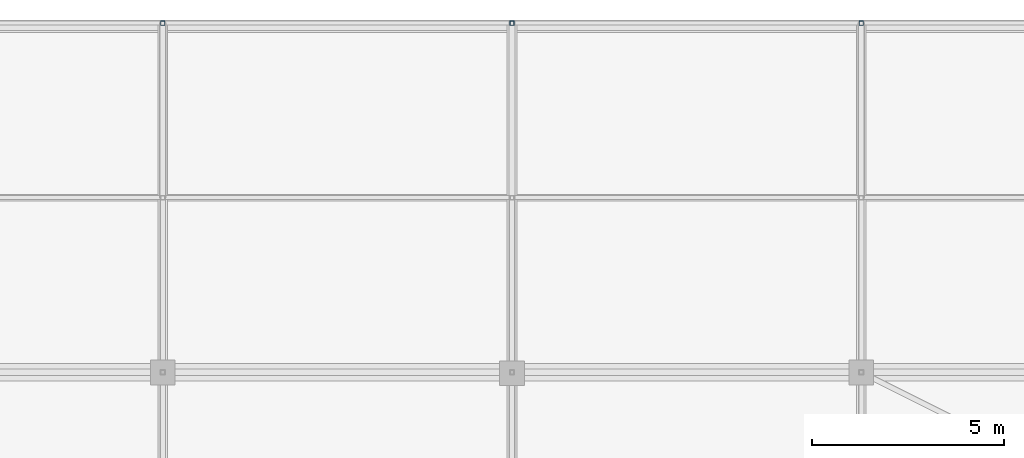
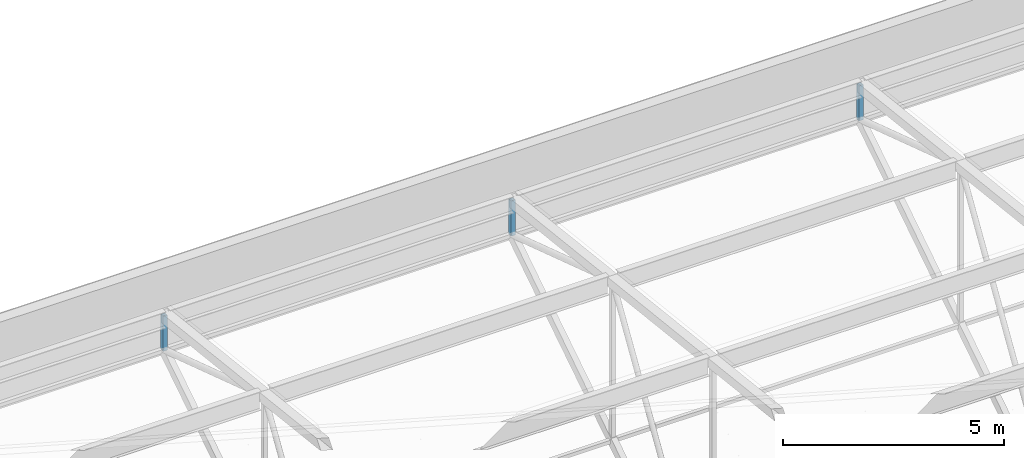
# One storey, part 415 of 500: 3 members.
"""IFC4 building model written with IfcOpenShell, lengths in metres."""

from ifc_helpers import new_model, si_unit, direction, frame, origin, origin_2d, place, context, subcontext, project, spatial, hollow_rectangle, extrude, material, material_profile, profile_set, type_object, element, save


model = new_model("IFC4")

# Units and contexts
model_context = context("Model", 3, precision=1e-05, world=origin(), true_north=direction((0.0, 1.0)))
body_context = subcontext(model_context, "Body", "Model", "MODEL_VIEW")
ifc_project = project(units=[si_unit("LENGTHUNIT", "METRE"), si_unit("AREAUNIT", "SQUARE_METRE"), si_unit("VOLUMEUNIT", "CUBIC_METRE"), si_unit("PLANEANGLEUNIT", "RADIAN"), si_unit("MASSUNIT", "GRAM", prefix="KILO")], contexts=[model_context])

# Site, building, storey
site_placement = place(None, origin())
site = spatial("IfcSite", under=ifc_project, at=site_placement, CompositionType="ELEMENT")
building_placement = place(site_placement, origin())
building = spatial("IfcBuilding", under=site, at=building_placement, Name="Shirokan Park Arena", CompositionType="ELEMENT")
storey_placement = place(building_placement, frame((0.0, 0.0, 29.1201171875)))
storey = spatial("IfcBuildingStorey", under=building, at=storey_placement, Name="L06", CompositionType="ELEMENT", Elevation=29.1201171875)

# Members
ifc_material = material(Name="Steel ASTM A500 Grade C", Category="steel")
ifc_material_profile = material_profile(ifc_material, hollow_rectangle(XDim=0.114013671875, YDim=0.114013671875, WallThickness=0.00634765625, at=origin_2d()), Name="HSS114.3X114.3X6.4")
ifc_profile_set = profile_set([ifc_material_profile], Name="Steel ASTM A500 Grade C")
member_type = type_object("IfcMemberType", Name="Truss post HSS114.3X114.3X6.4", PredefinedType="POST", material=ifc_profile_set)
for number, where, z_axis, x_axis, name in (
    (1, (72.800048828125, 118.300048828125, 10.531982421875), (0.0, 0.0, 1.0), (1.0, 0.0, 0.0), "Truss T09 post 29"),
    (2, (81.89990234375, 118.300048828125, 10.531982421875), (0.0, 0.0, 1.0), (1.0, 0.0, 0.0), "Truss T10 post 29"),
    (3, (91.0, 118.300048828125, 10.531982421875), (0.0, 0.0, 1.0), (1.0, 0.0, 0.0), "Truss T11 post 29"),
):
    element("IfcMember", number, at=place(storey_placement, frame(where, z_axis=z_axis, x_axis=x_axis)), inside=storey, type_object=member_type, Name=name, PredefinedType="POST", context=body_context, shape_type="SweptSolid", body=[
        extrude(hollow_rectangle(XDim=0.114013671875, YDim=0.114013671875, WallThickness=0.00634765625, at=origin_2d()), origin(), (0.0, 0.0, 1.0), 0.969482421875),
    ])

save(model, "model.ifc")
